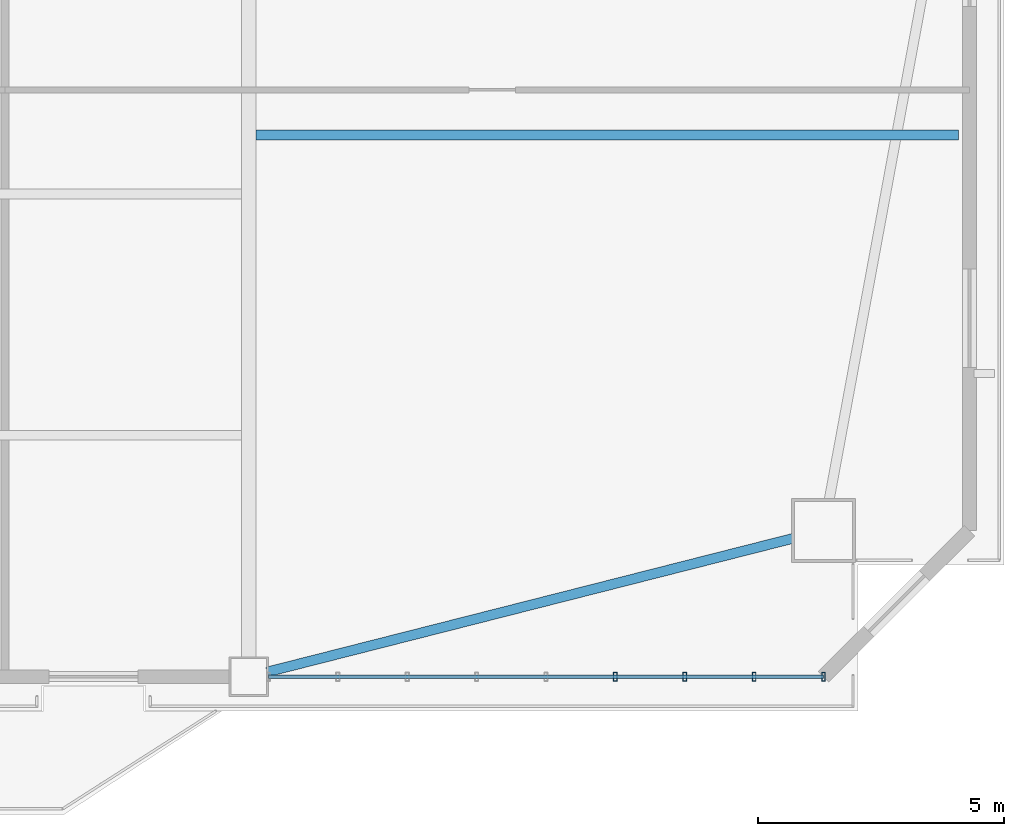
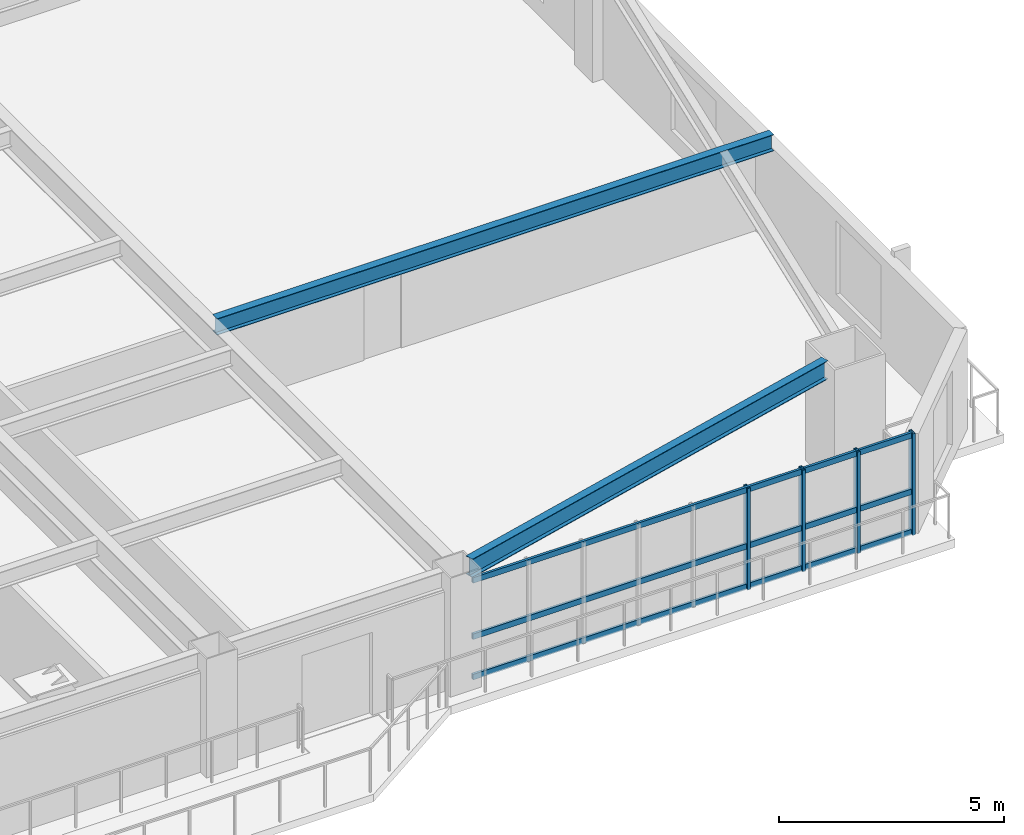
# One storey, part 5 of 17: 7 members, 2 beams, 1 element without a shape of its own.
"""IFC4 building model written with IfcOpenShell, lengths in metres."""

from ifc_helpers import new_model, si_unit, direction, frame, origin, origin_2d, place, context, subcontext, project, spatial, hollow_rectangle, i_section, extrude, source, transform, mapped, material, layer, layer_set, material_profile, profile_set, type_object, element, aggregate, save


model = new_model("IFC4")

# Units and contexts
model_context = context("Model", 3, precision=1e-05, world=origin(), true_north=direction((0.0, 1.0)))
body_context = subcontext(model_context, "Body", "Model", "MODEL_VIEW")
ifc_project = project(units=[si_unit("LENGTHUNIT", "METRE"), si_unit("AREAUNIT", "SQUARE_METRE"), si_unit("VOLUMEUNIT", "CUBIC_METRE"), si_unit("PLANEANGLEUNIT", "RADIAN"), si_unit("MASSUNIT", "GRAM", prefix="KILO")], contexts=[model_context])

# Site, building, storey
site_placement = place(None, origin())
site = spatial("IfcSite", under=ifc_project, at=site_placement, CompositionType="ELEMENT")
building_placement = place(site_placement, origin())
building = spatial("IfcBuilding", under=site, at=building_placement, Name="Giltprow Tower", CompositionType="ELEMENT")
storey_placement = place(building_placement, frame((0.0, 0.0, 141.199951171875)))
storey = spatial("IfcBuildingStorey", under=building, at=storey_placement, Name="L34", CompositionType="ELEMENT", Elevation=141.199951171875)

# Beams
ifc_material_1 = material(Name="Structural steel Q355B", Category="steel")
ifc_material_profile_1 = material_profile(ifc_material_1, i_section(OverallWidth=0.199951171875, OverallDepth=0.449951171875, WebThickness=0.009033203125, FlangeThickness=0.013916015625, at=origin_2d()), Name="HN 450x200x9x14")
ifc_profile_set_1 = profile_set([ifc_material_profile_1], Name="Structural steel Q355B")
beam_type_1 = type_object("IfcBeamType", Name="BM-JOIST-HN450", PredefinedType="JOIST", material=ifc_profile_set_1)
shared_shape_1 = source(origin(), body_context, "Body", "SweptSolid", [
    extrude(i_section(OverallWidth=0.199951171875, OverallDepth=0.449951171875, WebThickness=0.009033203125, FlangeThickness=0.013916015625, at=origin_2d()), origin(), (0.0, 0.0, 1.0), 14.27099609375),
])
beam_1_placement = place(storey_placement, frame((50.695068359375, 19.041015625, 2.9951171875), z_axis=(1.0, 0.0, 0.0), x_axis=(0.0, 1.0, 0.0)))
element("IfcBeam", 1, at=beam_1_placement, inside=storey, type_object=beam_type_1, Name="L34 East Wing Floor Joist 1", PredefinedType="JOIST", context=body_context, shape_type="MappedRepresentation", body=[
    mapped(shared_shape_1, transform((0.0, 0.0, 0.0), x_axis=(1.0, 0.0, 0.0), y_axis=(0.0, 1.0, 0.0), z_axis=(0.0, 0.0, 1.0), scale=1.0)),
])
ifc_material_profile_2 = material_profile(ifc_material_1, i_section(OverallWidth=0.199951171875, OverallDepth=0.5, WebThickness=0.010009765625, FlangeThickness=0.01611328125, at=origin_2d()), Name="HN 500x200x10x16")
ifc_profile_set_2 = profile_set([ifc_material_profile_2], Name="Structural steel Q355B")
beam_type_2 = type_object("IfcBeamType", Name="BM-SPAN-HN500", PredefinedType="SPANDREL", material=ifc_profile_set_2)
shared_shape_2 = source(origin(), body_context, "Body", "SweptSolid", [
    extrude(i_section(OverallWidth=0.199951171875, OverallDepth=0.5, WebThickness=0.010009765625, FlangeThickness=0.01611328125, at=origin_2d()), origin(), (0.0, 0.0, 1.0), 11.022216796875),
])
beam_2_placement = place(storey_placement, frame((50.923095703125, 8.139892578125, 2.969970703125), z_axis=(0.969209040297, 0.246239388006, 0.0), x_axis=(-0.246239388006, 0.969209040297, 0.0)))
element("IfcBeam", 2, at=beam_2_placement, inside=storey, type_object=beam_type_2, Name="L34 Perimeter Spandrel Beam S4-MC_SE", PredefinedType="SPANDREL", context=body_context, shape_type="MappedRepresentation", body=[
    mapped(shared_shape_2, transform((0.0, 0.0, 0.0), x_axis=(1.0, 0.0, 0.0), y_axis=(0.0, 1.0, 0.0), z_axis=(0.0, 0.0, 1.0), scale=1.0)),
])

# Curtain wall, members
ifc_material_2 = material(Name="Anodized bronze", Category="metal")
ifc_layer = layer(ifc_material_2, 0.179931640625, Name="Anodized bronze")
ifc_layer_set = layer_set([ifc_layer], Name="Anodized bronze")
curtain_wall_type = type_object("IfcCurtainWallType", Name="CW-HTL-BRONZE", PredefinedType="NOTDEFINED", material=ifc_layer_set)
curtain_wall_placement = place(storey_placement, origin())
curtain_wall = element("IfcCurtainWall", 3, at=curtain_wall_placement, inside=storey, type_object=curtain_wall_type, Name="L34 South Recessed Curtain Wall 6", PredefinedType="NOTDEFINED")
ifc_material_profile_3 = material_profile(ifc_material_2, hollow_rectangle(XDim=0.06494140625, YDim=0.14990234375, WallThickness=0.006103515625, at=origin_2d()), Name="RHS 150x65x6")
ifc_profile_set_3 = profile_set([ifc_material_profile_3], Name="Anodized bronze")
member_type_1 = type_object("IfcMemberType", Name="CW-TRANSOM-150x65", PredefinedType="USERDEFINED", material=ifc_profile_set_3)
shared_shape_3 = source(origin(), body_context, "Body", "SweptSolid", [
    extrude(hollow_rectangle(XDim=0.06494140625, YDim=0.14990234375, WallThickness=0.006103515625, at=origin_2d()), origin(), (0.0, 0.0, 1.0), 11.27099609375),
])
member_1_placement = place(storey_placement, frame((50.949951171875, 8.044921875, 0.0400390625), z_axis=(1.0, 0.0, 0.0), x_axis=(0.0, 1.0, 0.0)))
member_1 = element("IfcMember", 4, at=member_1_placement, type_object=member_type_1, Name="L34 South Recessed Curtain Wall 6 Transom 1", ObjectType="TRANSOM", PredefinedType="USERDEFINED", context=body_context, shape_type="MappedRepresentation", body=[
    mapped(shared_shape_3, transform((0.0, 0.0, 0.0), x_axis=(1.0, 0.0, 0.0), y_axis=(0.0, 1.0, 0.0), z_axis=(0.0, 0.0, 1.0), scale=1.0)),
])
member_2_placement = place(storey_placement, frame((50.949951171875, 8.044921875, 1.134033203125), z_axis=(1.0, 0.0, 0.0), x_axis=(0.0, 1.0, 0.0)))
member_2 = element("IfcMember", 5, at=member_2_placement, type_object=member_type_1, Name="L34 South Recessed Curtain Wall 6 Transom 2", ObjectType="TRANSOM", PredefinedType="USERDEFINED", context=body_context, shape_type="MappedRepresentation", body=[
    mapped(shared_shape_3, transform((0.0, 0.0, 0.0), x_axis=(1.0, 0.0, 0.0), y_axis=(0.0, 1.0, 0.0), z_axis=(0.0, 0.0, 1.0), scale=1.0)),
])
member_3_placement = place(storey_placement, frame((50.949951171875, 8.044921875, 2.66015625), z_axis=(1.0, 0.0, 0.0), x_axis=(0.0, 1.0, 0.0)))
member_3 = element("IfcMember", 6, at=member_3_placement, type_object=member_type_1, Name="L34 South Recessed Curtain Wall 6 Transom 3", ObjectType="TRANSOM", PredefinedType="USERDEFINED", context=body_context, shape_type="MappedRepresentation", body=[
    mapped(shared_shape_3, transform((0.0, 0.0, 0.0), x_axis=(1.0, 0.0, 0.0), y_axis=(0.0, 1.0, 0.0), z_axis=(0.0, 0.0, 1.0), scale=1.0)),
])
ifc_material_profile_4 = material_profile(ifc_material_2, hollow_rectangle(XDim=0.074951171875, YDim=0.179931640625, WallThickness=0.008056640625, at=origin_2d()), Name="RHS 180x75x8")
ifc_profile_set_4 = profile_set([ifc_material_profile_4], Name="Anodized bronze")
member_type_2 = type_object("IfcMemberType", Name="CW-MULLION-180x75", PredefinedType="MULLION", material=ifc_profile_set_4)
shared_shape_4 = source(origin(), body_context, "Body", "SweptSolid", [
    extrude(hollow_rectangle(XDim=0.074951171875, YDim=0.179931640625, WallThickness=0.008056640625, at=origin_2d()), origin(), (0.0, 0.0, 1.0), 2.755126953125),
])
member_4_placement = place(storey_placement, frame((57.993896484375, 8.044921875, -0.02001953125), z_axis=(0.0, 0.0, 1.0), x_axis=(1.0, 0.0, 0.0)))
member_4 = element("IfcMember", 7, at=member_4_placement, type_object=member_type_2, Name="L34 South Recessed Curtain Wall 6 Mullion 6", PredefinedType="MULLION", context=body_context, shape_type="MappedRepresentation", body=[
    mapped(shared_shape_4, transform((0.0, 0.0, 0.0), x_axis=(1.0, 0.0, 0.0), y_axis=(0.0, 1.0, 0.0), z_axis=(0.0, 0.0, 1.0), scale=1.0)),
])
member_5_placement = place(storey_placement, frame((59.403076171875, 8.044921875, -0.02001953125), z_axis=(0.0, 0.0, 1.0), x_axis=(1.0, 0.0, 0.0)))
member_5 = element("IfcMember", 8, at=member_5_placement, type_object=member_type_2, Name="L34 South Recessed Curtain Wall 6 Mullion 7", PredefinedType="MULLION", context=body_context, shape_type="MappedRepresentation", body=[
    mapped(shared_shape_4, transform((0.0, 0.0, 0.0), x_axis=(1.0, 0.0, 0.0), y_axis=(0.0, 1.0, 0.0), z_axis=(0.0, 0.0, 1.0), scale=1.0)),
])
member_6_placement = place(storey_placement, frame((60.81201171875, 8.044921875, -0.02001953125), z_axis=(0.0, 0.0, 1.0), x_axis=(1.0, 0.0, 0.0)))
member_6 = element("IfcMember", 9, at=member_6_placement, type_object=member_type_2, Name="L34 South Recessed Curtain Wall 6 Mullion 8", PredefinedType="MULLION", context=body_context, shape_type="MappedRepresentation", body=[
    mapped(shared_shape_4, transform((0.0, 0.0, 0.0), x_axis=(1.0, 0.0, 0.0), y_axis=(0.0, 1.0, 0.0), z_axis=(0.0, 0.0, 1.0), scale=1.0)),
])
member_7_placement = place(storey_placement, frame((62.220947265625, 8.044921875, -0.02001953125), z_axis=(0.0, 0.0, 1.0), x_axis=(1.0, 0.0, 0.0)))
member_7 = element("IfcMember", 10, at=member_7_placement, type_object=member_type_2, Name="L34 South Recessed Curtain Wall 6 Mullion 9", PredefinedType="MULLION", context=body_context, shape_type="MappedRepresentation", body=[
    mapped(shared_shape_4, transform((0.0, 0.0, 0.0), x_axis=(1.0, 0.0, 0.0), y_axis=(0.0, 1.0, 0.0), z_axis=(0.0, 0.0, 1.0), scale=1.0)),
])
aggregate(curtain_wall, [member_4, member_5, member_6, member_7, member_1, member_2, member_3])

save(model, "model.ifc")
